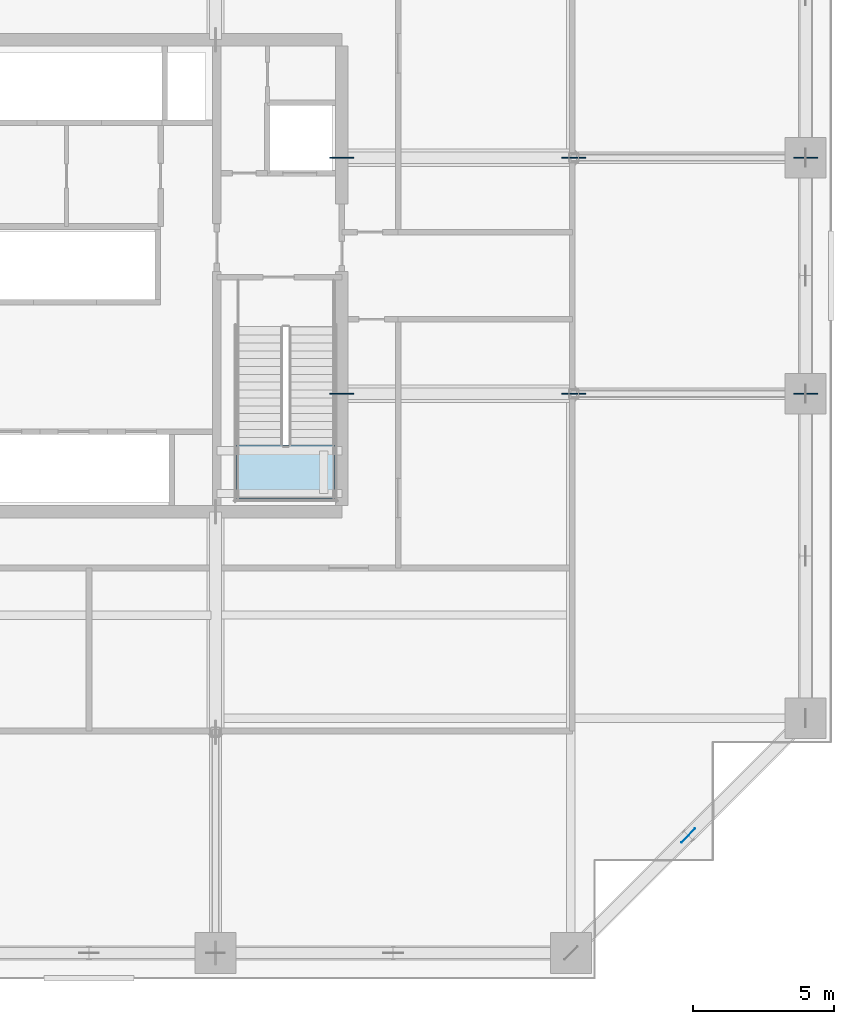
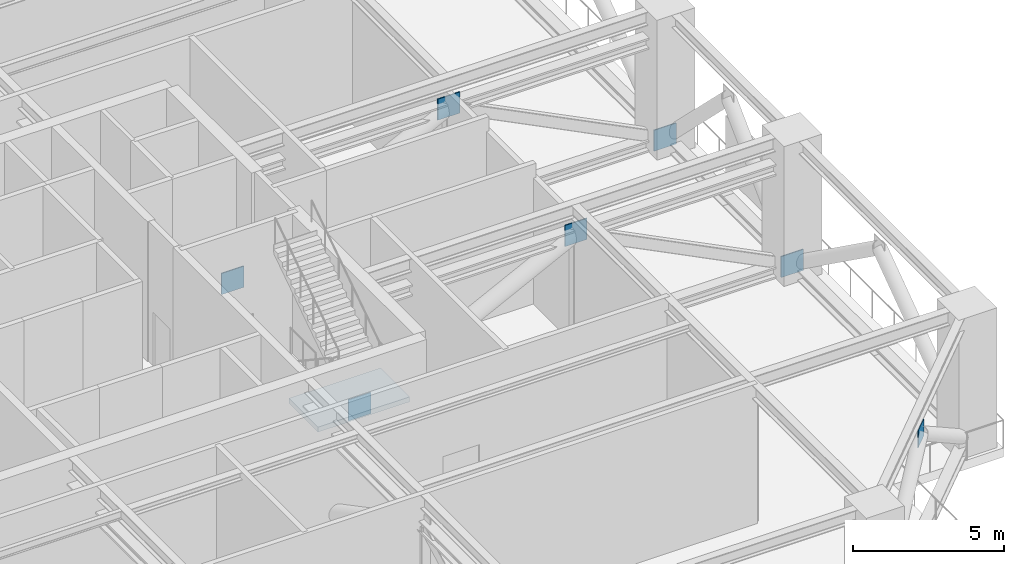
# One storey, part 8 of 21: 7 plates, 1 slab, 1 element without a shape of its own.
"""IFC4 building model written with IfcOpenShell, lengths in metres."""

from ifc_helpers import new_model, si_unit, direction, frame, origin, origin_2d, place, context, subcontext, project, spatial, polyline, rectangle, outline, extrude, source, transform, mapped, material, layer, layer_set, type_object, element, aggregate, save


model = new_model("IFC4")

# Units and contexts
model_context = context("Model", 3, precision=1e-05, world=origin(), true_north=direction((0.0, 1.0)))
body_context = subcontext(model_context, "Body", "Model", "MODEL_VIEW")
ifc_project = project(units=[si_unit("LENGTHUNIT", "METRE"), si_unit("AREAUNIT", "SQUARE_METRE"), si_unit("VOLUMEUNIT", "CUBIC_METRE"), si_unit("PLANEANGLEUNIT", "RADIAN"), si_unit("MASSUNIT", "GRAM", prefix="KILO")], contexts=[model_context])

# Site, building, storey
site_placement = place(None, origin())
site = spatial("IfcSite", under=ifc_project, at=site_placement, CompositionType="ELEMENT")
building_placement = place(site_placement, origin())
building = spatial("IfcBuilding", under=site, at=building_placement, Name="Serunith Strait Residences", CompositionType="ELEMENT")
storey_placement = place(building_placement, frame((0.0, 0.0, 109.199951171875)))
storey = spatial("IfcBuildingStorey", under=building, at=storey_placement, Name="L27", CompositionType="ELEMENT", Elevation=109.199951171875)

# Stair, slab
ifc_material_1 = material(Name="Concrete C50/60", Category="concrete")
stair_type = type_object("IfcStairType", Name="STR-CORE-2", PredefinedType="HALF_TURN_STAIR", material=ifc_material_1)
stair_placement = place(storey_placement, origin())
stair = element("IfcStair", 1, at=stair_placement, inside=storey, type_object=stair_type, Name="L27 Protected Escape Stair ST-2", PredefinedType="HALF_TURN_STAIR")
ifc_layer_1 = layer(ifc_material_1, 0.199951171875, Name="Concrete C50/60")
ifc_layer_set_1 = layer_set([ifc_layer_1], Name="Concrete C50/60")
slab_type = type_object("IfcSlabType", Name="SLB-LAND-200", PredefinedType="LANDING", material=ifc_layer_set_1)
slab_placement = place(storey_placement, frame((0.0, 0.0, 2.800048828125)))
slab = element("IfcSlab", 2, at=slab_placement, type_object=slab_type, Name="ST-2 landing 1", PredefinedType="LANDING", context=body_context, shape_type="SweptSolid", body=[
    extrude(outline(polyline([(37.64990234375, 19.169921875), (37.64990234375, 17.25), (41.14990234375, 17.25), (41.14990234375, 19.169921875), (37.64990234375, 19.169921875)])), origin(), (0.0, 0.0, 1.0), 0.199951171875),
])
aggregate(stair, [slab])

# Plates
ifc_material_2 = material(Name="Steel S460M", Category="steel")
ifc_layer_2 = layer(ifc_material_2, 0.0400390625, Name="Steel S460M")
ifc_layer_set_2 = layer_set([ifc_layer_2], Name="Steel S460M")
plate_type_1 = type_object("IfcPlateType", Name="PLT-GUSSET-40", PredefinedType="USERDEFINED", material=ifc_layer_set_2)
shared_shape_1 = source(origin(), body_context, "Body", "SweptSolid", [
    extrude(rectangle(XDim=0.85009765625, YDim=0.0400390625, at=origin_2d()), origin(), (0.0, 0.0, 1.0), 0.85009765625),
])
for number, where, z_axis, x_axis, name in (
    (3, (41.39990234375, 21.0, -0.175048828125), (0.0, 0.0, 1.0), (1.0, 0.0, 0.0), "L27 Outrigger Gusset Plate ND-01"),
    (4, (49.64990234375, 21.0, 3.965087890625), (0.0, 0.0, 1.0), (1.0, 0.0, 0.0), "L27 Outrigger Gusset Plate ND-01"),
    (5, (57.89990234375, 21.0, -0.175048828125), (0.0, 0.0, 1.0), (1.0, 0.0, 0.0), "L27 Outrigger Gusset Plate ND-01"),
    (6, (41.39990234375, 29.39990234375, -0.175048828125), (0.0, 0.0, 1.0), (1.0, 0.0, 0.0), "L27 Outrigger Gusset Plate ND-01"),
    (7, (49.64990234375, 29.39990234375, 3.965087890625), (0.0, 0.0, 1.0), (1.0, 0.0, 0.0), "L27 Outrigger Gusset Plate ND-01"),
    (8, (57.89990234375, 29.39990234375, -0.175048828125), (0.0, 0.0, 1.0), (1.0, 0.0, 0.0), "L27 Outrigger Gusset Plate ND-01"),
):
    element("IfcPlate", number, at=place(storey_placement, frame(where, z_axis=z_axis, x_axis=x_axis)), inside=storey, type_object=plate_type_1, Name=name, ObjectType="GUSSET_PLATE", PredefinedType="USERDEFINED", context=body_context, shape_type="MappedRepresentation", body=[
        mapped(shared_shape_1, transform((0.0, 0.0, 0.0), scale=1.0)),
    ])
ifc_layer_3 = layer(ifc_material_2, 0.02490234375, Name="Steel S460M")
ifc_layer_set_3 = layer_set([ifc_layer_3], Name="Steel S460M")
plate_type_2 = type_object("IfcPlateType", Name="PLT-CAP-25", PredefinedType="SHEET", material=ifc_layer_set_3)
shared_shape_2 = source(origin(), body_context, "Body", "SweptSolid", [
    extrude(rectangle(XDim=0.699951171875, YDim=0.02490234375, at=origin_2d()), origin(), (0.0, 0.0, 1.0), 0.699951171875),
])
plate_placement = place(storey_placement, frame((53.72509765625, 5.27490234375, 4.0400390625), z_axis=(0.0, 0.0, 1.0), x_axis=(0.707106781187, 0.707106781187, 0.0)))
element("IfcPlate", 9, at=plate_placement, inside=storey, type_object=plate_type_2, Name="L27 Belt Truss Apex Gusset 04", PredefinedType="SHEET", context=body_context, shape_type="MappedRepresentation", body=[
    mapped(shared_shape_2, transform((0.0, 0.0, 0.0), scale=1.0)),
])

save(model, "model.ifc")
